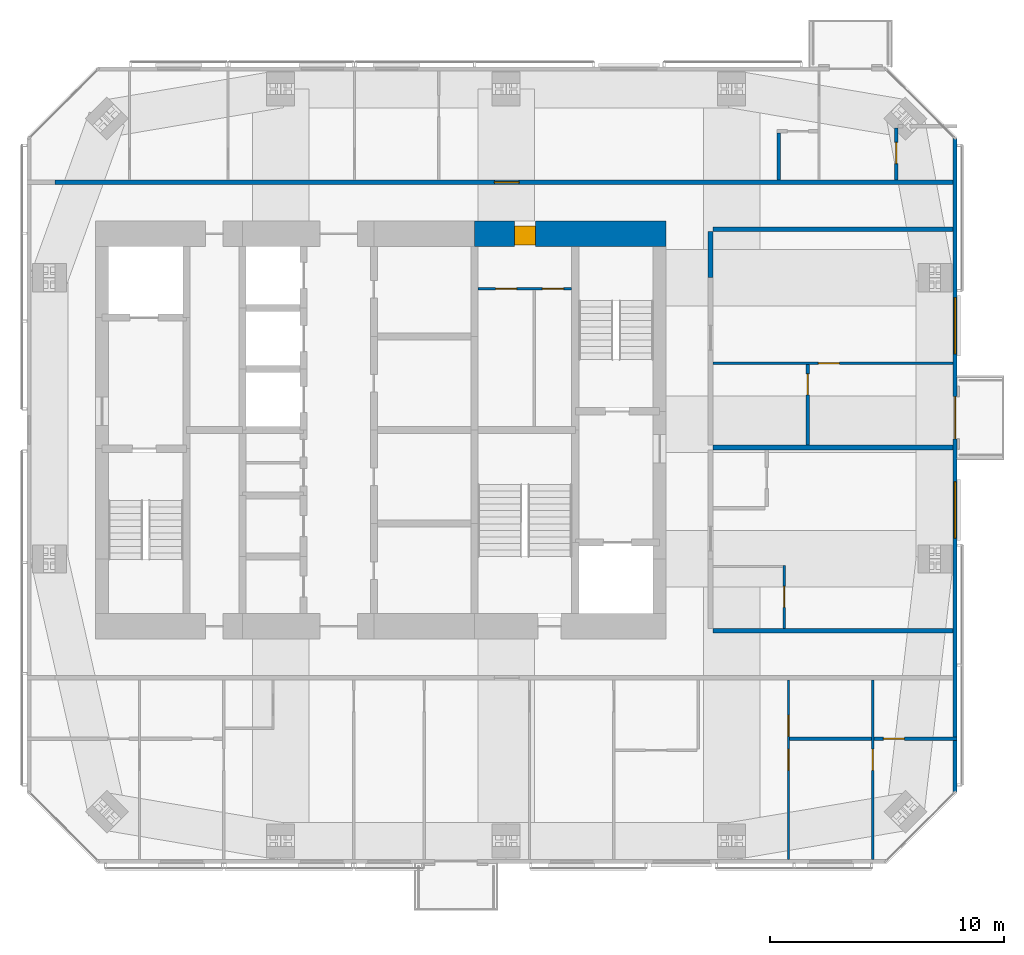
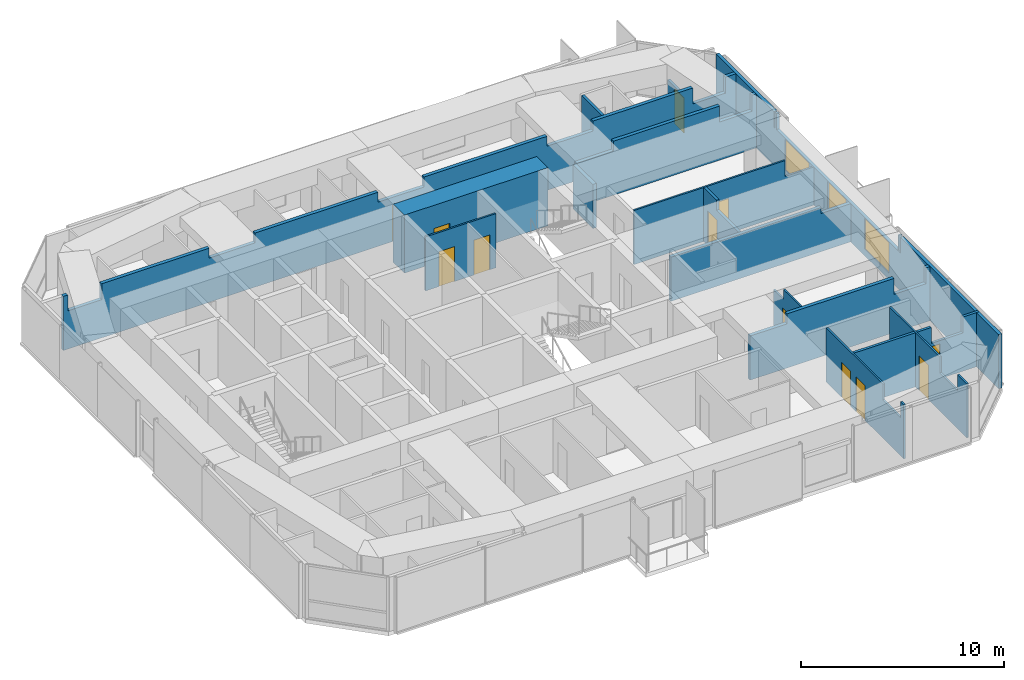
# One storey, part 16 of 18: 17 walls, 13 doors, 2 windows, 15 openings.
"""IFC4 building model written with IfcOpenShell, lengths in metres."""

from ifc_helpers import new_model, si_unit, direction, frame, frame_2d, origin, place, context, subcontext, project, spatial, polyline, rectangle, outline, extrude, material, layer, layer_set, constituent, constituent_set, type_object, element, fill, save


model = new_model("IFC4")

# Units and contexts
model_context = context("Model", 3, precision=1e-05, world=origin(), true_north=direction((0.0, 1.0)))
body_context = subcontext(model_context, "Body", "Model", "MODEL_VIEW")
ifc_project = project(units=[si_unit("LENGTHUNIT", "METRE"), si_unit("AREAUNIT", "SQUARE_METRE"), si_unit("VOLUMEUNIT", "CUBIC_METRE"), si_unit("PLANEANGLEUNIT", "RADIAN"), si_unit("MASSUNIT", "GRAM", prefix="KILO")], contexts=[model_context])

# Site, building, storey
site_placement = place(None, origin())
site = spatial("IfcSite", under=ifc_project, at=site_placement, CompositionType="ELEMENT")
building_placement = place(site_placement, origin())
building = spatial("IfcBuilding", under=site, at=building_placement, Name="Jalousie Tower", CompositionType="ELEMENT")
storey_placement = place(building_placement, frame((0.0, 0.0, 252.949951171875)))
storey = spatial("IfcBuildingStorey", under=building, at=storey_placement, Name="L69", CompositionType="ELEMENT", Elevation=252.949951171875)

# Wall
ifc_material_1 = material(Name="Concrete block ASTM C90", Category="concrete")
ifc_constituent_1 = constituent(ifc_material_1, Name="Body")
ifc_material_2 = material(Name="Render")
ifc_constituent_2 = constituent(ifc_material_2, Name="Finish")
ifc_constituent_set_1 = constituent_set(constituents=[ifc_constituent_1, ifc_constituent_2])
wall_type_1 = type_object("IfcWallType", Name="BATHROOM WALL 150", PredefinedType="PLUMBINGWALL", material=ifc_constituent_set_1)
wall_1_placement = place(storey_placement, frame((49.35009765625, 5.324951171875, 0.0), z_axis=(0.0, 0.0, 1.0), x_axis=(1.0, 0.0, 0.0)))
element("IfcWall", 1, at=wall_1_placement, inside=storey, type_object=wall_type_1, Name="Bathroom Wall 150 L69", PredefinedType="PLUMBINGWALL", context=body_context, shape_type="SweptSolid", body=[
    extrude(rectangle(XDim=3.5, YDim=0.14990234375, at=frame_2d((1.75, 0.0))), origin(), (0.0, 0.0, 1.0), 3.260009765625),
])

# Wall, opening, door
wall_2_placement = place(storey_placement, frame((52.949951171875, 5.324951171875, 0.0), z_axis=(0.0, 0.0, 1.0), x_axis=(1.0, 0.0, 0.0)))
wall_2 = element("IfcWall", 2, at=wall_2_placement, inside=storey, type_object=wall_type_1, Name="Bathroom Wall 150 L69", PredefinedType="PLUMBINGWALL", context=body_context, shape_type="SweptSolid", body=[
    extrude(outline(polyline([(0.0, 0.0), (3.550048828125, 0.0), (3.550048828125, 3.260009765625), (2.596923828125, 3.260009765625), (2.596923828125, 2.300048828125), (0.815185546875, 2.300048828125), (0.815185546875, 3.260009765625), (0.0, 3.260009765625), (0.0, 0.0)])), frame((0.0, 0.074951171875, 0.0), z_axis=(0.0, -1.0, 0.0), x_axis=(1.0, 0.0, 0.0)), (0.0, 0.0, 1.0), 0.14990234375),
])
opening_1_placement = place(wall_2_placement, frame((0.39990234375, 0.0, 0.0)))
opening_1 = element("IfcOpeningElement", 3, at=opening_1_placement, cuts=wall_2, Name="Opening D3", PredefinedType="OPENING", context=body_context, shape_type="SweptSolid", body=[
    extrude(rectangle(XDim=0.89990234375, YDim=2.10009765625, at=frame_2d((0.449951171875, 1.050048828125))), frame((0.0, 0.0849609375, 0.0), z_axis=(0.0, -1.0, 0.0), x_axis=(1.0, 0.0, 0.0)), (0.0, 0.0, 1.0), 0.169921875),
])
ifc_material_3 = material(Name="Timber door", Category="wood")
door_type_1 = type_object("IfcDoorType", Name="BATHROOM DOOR 900", OperationType="SINGLE_SWING_LEFT", PredefinedType="DOOR", material=ifc_material_3)
door_1_placement = place(opening_1_placement, origin())
door_1 = element("IfcDoor", 4, at=door_1_placement, inside=storey, type_object=door_type_1, Name="Apartment 6901 bedroom 4 bathroom door", OperationType="SINGLE_SWING_LEFT", OverallHeight=2.10009765625, OverallWidth=0.89990234375, PredefinedType="DOOR", context=body_context, shape_type="SweptSolid", body=[
    extrude(rectangle(XDim=0.89990234375, YDim=2.10009765625, at=frame_2d((0.449951171875, 1.050048828125))), frame((0.0, 0.02490234375, 0.0), z_axis=(0.0, -1.0, 0.0), x_axis=(1.0, 0.0, 0.0)), (0.0, 0.0, 1.0), 0.050048828125),
])
fill(opening_1, door_1)

wall_3_placement = place(storey_placement, frame((53.89990234375, 31.39990234375, 0.0), z_axis=(0.0, 0.0, 1.0), x_axis=(0.0, -1.0, 0.0)))
wall_3 = element("IfcWall", 5, at=wall_3_placement, inside=storey, type_object=wall_type_1, Name="Bathroom Wall 150 L69", PredefinedType="PLUMBINGWALL", context=body_context, shape_type="SweptSolid", body=[
    extrude(outline(polyline([(0.0, 0.0), (2.224853515625, 0.0), (2.22509765625, 3.260009765625), (2.22509765625, 2.300048828125), (0.43798828125, 2.300048828125), (0.0, 2.300048828125), (0.0, 3.260009765625), (0.0, 0.0)])), frame((0.0, 0.074951171875, 0.0), z_axis=(0.0, -1.0, 0.0), x_axis=(1.0, 0.0, 0.0)), (0.0, 0.0, 1.0), 0.14990234375),
])
opening_2_placement = place(wall_3_placement, frame((0.625, 0.0, 0.0)))
opening_2 = element("IfcOpeningElement", 6, at=opening_2_placement, cuts=wall_3, Name="Opening D3", PredefinedType="OPENING", context=body_context, shape_type="SweptSolid", body=[
    extrude(rectangle(XDim=0.89990234375, YDim=2.10009765625, at=frame_2d((0.449951171875, 1.050048828125))), frame((0.0, 0.0849609375, 0.0), z_axis=(0.0, -1.0, 0.0), x_axis=(1.0, 0.0, 0.0)), (0.0, 0.0, 1.0), 0.169921875),
])
door_2_placement = place(opening_2_placement, origin())
door_2 = element("IfcDoor", 7, at=door_2_placement, inside=storey, type_object=door_type_1, Name="Apartment 6902 bathroom door", OperationType="SINGLE_SWING_LEFT", OverallHeight=2.10009765625, OverallWidth=0.89990234375, PredefinedType="DOOR", context=body_context, shape_type="SweptSolid", body=[
    extrude(rectangle(XDim=0.89990234375, YDim=2.10009765625, at=frame_2d((0.449951171875, 1.050048828125))), frame((0.0, 0.02490234375, 0.0), z_axis=(0.0, -1.0, 0.0), x_axis=(1.0, 0.0, 0.0)), (0.0, 0.0, 1.0), 0.050048828125),
])
fill(opening_2, door_2)

wall_4_placement = place(storey_placement, frame((50.125, 17.85009765625, 0.0), z_axis=(0.0, 0.0, 1.0), x_axis=(0.0, 1.0, 0.0)))
wall_4 = element("IfcWall", 8, at=wall_4_placement, inside=storey, type_object=wall_type_1, Name="Bathroom Wall 150 L69", PredefinedType="PLUMBINGWALL", context=body_context, shape_type="SweptSolid", body=[
    extrude(outline(polyline([(0.0, 0.0), (3.449951171875, 0.0), (3.449951171875, 3.260009765625), (2.18505859375, 3.260009765625), (2.18505859375, 2.66015625), (0.0, 2.66015625), (0.0, 3.260009765625), (0.0, 0.0)])), frame((0.0, 0.074951171875, 0.0), z_axis=(0.0, -1.0, 0.0), x_axis=(1.0, 0.0, 0.0)), (0.0, 0.0, 1.0), 0.14990234375),
])
opening_3_placement = place(wall_4_placement, frame((2.14990234375, 0.0, 0.0)))
opening_3 = element("IfcOpeningElement", 9, at=opening_3_placement, cuts=wall_4, Name="Opening D3", PredefinedType="OPENING", context=body_context, shape_type="SweptSolid", body=[
    extrude(rectangle(XDim=0.89990234375, YDim=2.10009765625, at=frame_2d((0.449951171875, 1.050048828125))), frame((0.0, 0.0849609375, 0.0), z_axis=(0.0, -1.0, 0.0), x_axis=(1.0, 0.0, 0.0)), (0.0, 0.0, 1.0), 0.169921875),
])
door_3_placement = place(opening_3_placement, origin())
door_3 = element("IfcDoor", 10, at=door_3_placement, inside=storey, type_object=door_type_1, Name="Apartment 6904 bedroom 1 bathroom door", OperationType="SINGLE_SWING_RIGHT", OverallHeight=2.10009765625, OverallWidth=0.89990234375, PredefinedType="DOOR", context=body_context, shape_type="SweptSolid", body=[
    extrude(rectangle(XDim=0.89990234375, YDim=2.10009765625, at=frame_2d((0.449951171875, 1.050048828125))), frame((0.0, 0.02490234375, 0.0), z_axis=(0.0, -1.0, 0.0), x_axis=(1.0, 0.0, 0.0)), (0.0, 0.0, 1.0), 0.050048828125),
])
fill(opening_3, door_3)

# Wall
wall_5_placement = place(storey_placement, frame((48.87744140625, 29.175048828125, 0.0), z_axis=(0.0, 0.0, 1.0), x_axis=(0.0, 1.0, 0.0)))
element("IfcWall", 11, at=wall_5_placement, inside=storey, type_object=wall_type_1, Name="Bathroom Wall 150 L69", PredefinedType="PLUMBINGWALL", context=body_context, shape_type="SweptSolid", body=[
    extrude(rectangle(XDim=2.0, YDim=0.14990234375, at=frame_2d((1.0, 0.0))), origin(), (0.0, 0.0, 1.0), 3.260009765625),
])

# Wall, opening, door
ifc_material_4 = material(Name="Concrete f'c 120 MPa", Category="concrete")
ifc_layer = layer(ifc_material_4, 1.10009765625)
ifc_layer_set = layer_set([ifc_layer], Name="Concrete f'c 120 MPa")
wall_type_2 = type_object("IfcWallType", Name="CORE WALL 1100", PredefinedType="SHEAR", material=ifc_layer_set)
wall_6_placement = place(storey_placement, frame((44.074951171875, 26.875, 0.0), z_axis=(0.0, 0.0, 1.0), x_axis=(-1.0, 0.0, 0.0)))
wall_6 = element("IfcWall", 12, at=wall_6_placement, inside=storey, type_object=wall_type_2, Name="Core wall NA L69", PredefinedType="SHEAR", context=body_context, shape_type="SweptSolid", body=[
    extrude(rectangle(XDim=8.175048828125, YDim=1.10009765625, at=frame_2d((4.08740234375, 0.0))), origin(), (0.0, 0.0, 1.0), 3.5),
])
opening_4_placement = place(wall_6_placement, frame((5.574951171875, 0.0, 0.0)))
opening_4 = element("IfcOpeningElement", 13, at=opening_4_placement, cuts=wall_6, Name="Opening D25", PredefinedType="OPENING", context=body_context, shape_type="SweptSolid", body=[
    extrude(rectangle(XDim=0.89990234375, YDim=2.10009765625, at=frame_2d((0.449951171875, 1.050048828125))), frame((0.0, 0.56005859375, 0.0), z_axis=(0.0, -1.0, 0.0), x_axis=(1.0, 0.0, 0.0)), (0.0, 0.0, 1.0), 1.1201171875),
])
ifc_material_5 = material(Name="Steel fire door", Category="steel")
door_type_2 = type_object("IfcDoorType", Name="SERVICE LOBBY DOOR 900", OperationType="SINGLE_SWING_LEFT", PredefinedType="DOOR", material=ifc_material_5)
door_4_placement = place(opening_4_placement, origin())
door_4 = element("IfcDoor", 14, at=door_4_placement, inside=storey, type_object=door_type_2, Name="Service lobby door", OperationType="SINGLE_SWING_LEFT", OverallHeight=2.10009765625, OverallWidth=0.89990234375, PredefinedType="DOOR", context=body_context, shape_type="SweptSolid", body=[
    extrude(rectangle(XDim=0.89990234375, YDim=2.10009765625, at=frame_2d((0.449951171875, 1.050048828125))), frame((0.0, 0.47021484375, 0.0), z_axis=(0.0, -1.0, 0.0), x_axis=(1.0, 0.0, 0.0)), (0.0, 0.0, 1.0), 0.800048828125),
])
fill(opening_4, door_4)

# Walls
ifc_material_6 = material(Name="Concrete block ASTM C90", Category="concrete")
ifc_constituent_3 = constituent(ifc_material_6, Name="Body")
ifc_material_7 = material(Name="Render")
ifc_constituent_4 = constituent(ifc_material_7, Name="Finish")
ifc_constituent_set_2 = constituent_set(constituents=[ifc_constituent_3, ifc_constituent_4])
wall_type_3 = type_object("IfcWallType", Name="CORRIDOR WALL 200", PredefinedType="PARTITIONING", material=ifc_constituent_set_2)
wall_7_placement = place(storey_placement, frame((46.074951171875, 9.925048828125, 0.0), z_axis=(0.0, 0.0, 1.0), x_axis=(1.0, 0.0, 0.0)))
element("IfcWall", 15, at=wall_7_placement, inside=storey, type_object=wall_type_3, Name="Corridor Wall 200 L69", PredefinedType="PARTITIONING", context=body_context, shape_type="SweptSolid", body=[
    extrude(outline(polyline([(0.0, 0.0), (10.25, 0.0), (10.25, 3.260009765625), (10.032958984375, 3.260009765625), (10.032958984375, 2.300048828125), (8.20068359375, 2.300048828125), (8.20068359375, 3.260009765625), (2.110107421875, 3.260009765625), (2.110107421875, 2.66015625), (0.0, 2.66015625), (0.0, 3.260009765625), (0.0, 0.0)])), frame((0.0, 0.10009765625, 0.0), z_axis=(0.0, -1.0, 0.0), x_axis=(1.0, 0.0, 0.0)), (0.0, 0.0, 1.0), 0.199951171875),
])
wall_8_placement = place(storey_placement, frame((46.074951171875, 27.074951171875, 0.0), z_axis=(0.0, 0.0, 1.0), x_axis=(1.0, 0.0, 0.0)))
element("IfcWall", 16, at=wall_8_placement, inside=storey, type_object=wall_type_3, Name="Corridor Wall 200 L69", PredefinedType="PARTITIONING", context=body_context, shape_type="SweptSolid", body=[
    extrude(outline(polyline([(0.0, 0.0), (10.25, 0.0), (10.25, 3.260009765625), (10.0166015625, 3.260009765625), (10.0166015625, 2.300048828125), (8.16552734375, 2.300048828125), (8.16552734375, 3.260009765625), (2.110107421875, 3.260009765625), (2.110107421875, 2.66015625), (0.0, 2.66015625), (0.0, 3.260009765625), (0.0, 0.0)])), frame((0.0, 0.10009765625, 0.0), z_axis=(0.0, -1.0, 0.0), x_axis=(1.0, 0.0, 0.0)), (0.0, 0.0, 1.0), 0.199951171875),
])

# Wall, opening, door
wall_9_placement = place(storey_placement, frame((18.0, 29.074951171875, 0.0), z_axis=(0.0, 0.0, 1.0), x_axis=(1.0, 0.0, 0.0)))
wall_9 = element("IfcWall", 17, at=wall_9_placement, inside=storey, type_object=wall_type_3, Name="Corridor Wall 200 L69", PredefinedType="PARTITIONING", context=body_context, shape_type="SweptSolid", body=[
    extrude(outline(polyline([(0.0, 0.0), (38.324951171875, 0.0), (38.324951171875, 3.260009765625), (37.72119140625, 3.260009765625), (37.72119140625, 2.300048828125), (35.870361328125, 2.300048828125), (35.870361328125, 3.260009765625), (30.18505859375, 3.260009765625), (30.18505859375, 2.66015625), (27.56494140625, 2.66015625), (27.56494140625, 3.260009765625), (20.56005859375, 3.260009765625), (20.56005859375, 2.66015625), (17.93994140625, 2.66015625), (17.93994140625, 3.260009765625), (10.93505859375, 3.260009765625), (10.93505859375, 2.66015625), (8.31494140625, 2.66015625), (8.31494140625, 3.260009765625), (2.191650390625, 3.260009765625), (2.191650390625, 2.300048828125), (0.25634765625, 2.300048828125), (0.25634765625, 3.260009765625), (0.0, 3.260009765625), (0.0, 0.0)])), frame((0.0, 0.10009765625, 0.0), z_axis=(0.0, -1.0, 0.0), x_axis=(1.0, 0.0, 0.0)), (0.0, 0.0, 1.0), 0.199951171875),
])
opening_5_placement = place(wall_9_placement, frame((18.75, 0.0, 0.0)))
opening_5 = element("IfcOpeningElement", 18, at=opening_5_placement, cuts=wall_9, Name="Opening D1", PredefinedType="OPENING", context=body_context, shape_type="SweptSolid", body=[
    extrude(rectangle(XDim=1.050048828125, YDim=2.199951171875, at=frame_2d((0.52490234375, 1.10009765625))), frame((0.0, 0.10986328125, 0.0), z_axis=(0.0, -1.0, 0.0), x_axis=(1.0, 0.0, 0.0)), (0.0, 0.0, 1.0), 0.219970703125),
])
ifc_material_8 = material(Name="Timber fire door", Category="wood")
door_type_3 = type_object("IfcDoorType", Name="APARTMENT ENTRANCE DOOR 1050", OperationType="SINGLE_SWING_LEFT", PredefinedType="DOOR", material=ifc_material_8)
door_5_placement = place(opening_5_placement, origin())
door_5 = element("IfcDoor", 19, at=door_5_placement, inside=storey, type_object=door_type_3, Name="Apartment 6902 entrance", OperationType="SINGLE_SWING_LEFT", OverallHeight=2.199951171875, OverallWidth=1.050048828125, PredefinedType="DOOR", context=body_context, shape_type="SweptSolid", body=[
    extrude(rectangle(XDim=1.050048828125, YDim=2.199951171875, at=frame_2d((0.52490234375, 1.10009765625))), frame((0.0, 0.02490234375, 0.0), z_axis=(0.0, -1.0, 0.0), x_axis=(1.0, 0.0, 0.0)), (0.0, 0.0, 1.0), 0.050048828125),
])
fill(opening_5, door_5)

# Wall
wall_10_placement = place(storey_placement, frame((45.97509765625, 25.0, 0.0), z_axis=(0.0, 0.0, 1.0), x_axis=(0.0, 1.0, 0.0)))
element("IfcWall", 20, at=wall_10_placement, inside=storey, type_object=wall_type_3, Name="Corridor Wall 200 L69-B", PredefinedType="PARTITIONING", context=body_context, shape_type="SweptSolid", body=[
    extrude(rectangle(XDim=1.97509765625, YDim=0.199951171875, at=frame_2d((0.987548828125, 0.0))), origin(), (0.0, 0.0, 1.0), 2.66015625),
])

# Wall, openings, door, windows
ifc_material_9 = material(Name="Concrete f'c 40 MPa", Category="concrete")
ifc_constituent_5 = constituent(ifc_material_9, Name="Body")
ifc_material_10 = material(Name="Render, pastel sky blue")
ifc_constituent_6 = constituent(ifc_material_10, Name="Finish")
ifc_constituent_set_3 = constituent_set(constituents=[ifc_constituent_5, ifc_constituent_6])
wall_type_4 = type_object("IfcWallType", Name="EXTERNAL WALL 175 SKY BLUE RENDER", PredefinedType="SOLIDWALL", material=ifc_constituent_set_3)
wall_11_placement = place(storey_placement, frame((56.41259765625, 3.05126953125, 0.0), z_axis=(0.0, 0.0, 1.0), x_axis=(0.0, 1.0, 0.0)))
wall_11 = element("IfcWall", 21, at=wall_11_placement, inside=storey, type_object=wall_type_4, Name="External Wall 175 Sky Blue Render L69", PredefinedType="SOLIDWALL", context=body_context, shape_type="SweptSolid", body=[
    extrude(outline(polyline([(0.0, 0.0), (27.8974609375, 0.0), (27.8974609375, 3.260009765625), (22.1572265625, 3.260009765625), (22.1572265625, 2.300048828125), (22.092041015625, 2.300048828125), (22.092041015625, 3.260009765625), (21.94873046875, 3.260009765625), (21.94873046875, 2.300048828125), (9.94873046875, 2.300048828125), (9.94873046875, 3.260009765625), (9.8583984375, 3.260009765625), (9.8583984375, 2.300048828125), (9.6875, 2.300048828125), (9.6875, 3.260009765625), (0.0, 3.260009765625), (0.0, 0.0)])), frame((0.0, 0.08740234375, 0.0), z_axis=(0.0, -1.0, 0.0), x_axis=(1.0, 0.0, 0.0)), (0.0, 0.0, 1.0), 0.175048828125),
])
opening_6_placement = place(wall_11_placement, frame((10.83056640625, 0.0, 0.39990234375)))
opening_6 = element("IfcOpeningElement", 22, at=opening_6_placement, cuts=wall_11, Name="Opening W-LIV185", PredefinedType="OPENING", context=body_context, shape_type="SweptSolid", body=[
    extrude(rectangle(XDim=2.39990234375, YDim=1.85009765625, at=frame_2d((1.199951171875, 0.925048828125))), frame((0.0, 0.097412109375, 0.0), z_axis=(0.0, -1.0, 0.0), x_axis=(1.0, 0.0, 0.0)), (0.0, 0.0, 1.0), 0.195068359375),
])
opening_7_placement = place(wall_11_placement, frame((15.07373046875, 0.0, 0.0)))
opening_7 = element("IfcOpeningElement", 23, at=opening_7_placement, cuts=wall_11, Name="Opening D-BAL22", PredefinedType="OPENING", context=body_context, shape_type="SweptSolid", body=[
    extrude(rectangle(XDim=1.800048828125, YDim=2.25, at=frame_2d((0.89990234375, 1.125))), frame((0.0, 0.097412109375, 0.0), z_axis=(0.0, -1.0, 0.0), x_axis=(1.0, 0.0, 0.0)), (0.0, 0.0, 1.0), 0.195068359375),
])
opening_8_placement = place(wall_11_placement, frame((18.69873046875, 0.0, 0.39990234375)))
opening_8 = element("IfcOpeningElement", 24, at=opening_8_placement, cuts=wall_11, Name="Opening W-LIV185", PredefinedType="OPENING", context=body_context, shape_type="SweptSolid", body=[
    extrude(rectangle(XDim=2.39990234375, YDim=1.85009765625, at=frame_2d((1.199951171875, 0.925048828125))), frame((0.0, 0.097412109375, 0.0), z_axis=(0.0, -1.0, 0.0), x_axis=(1.0, 0.0, 0.0)), (0.0, 0.0, 1.0), 0.195068359375),
])
ifc_material_11 = material(Name="Aluminium frame, impact-rated glazing", Category="aluminium")
door_type_4 = type_object("IfcDoorType", Name="BALCONY DOOR 1800x2250", OperationType="SLIDING_TO_LEFT", PredefinedType="DOOR", material=ifc_material_11)
door_6_placement = place(opening_7_placement, origin())
door_6 = element("IfcDoor", 25, at=door_6_placement, inside=storey, type_object=door_type_4, Name="Apartment 6904 bedroom 1 balcony door", OperationType="SLIDING_TO_LEFT", OverallHeight=2.25, OverallWidth=1.800048828125, PredefinedType="DOOR", context=body_context, shape_type="SweptSolid", body=[
    extrude(rectangle(XDim=1.800048828125, YDim=2.25, at=frame_2d((0.89990234375, 1.125))), frame((0.0, 0.02490234375, 0.0), z_axis=(0.0, -1.0, 0.0), x_axis=(1.0, 0.0, 0.0)), (0.0, 0.0, 1.0), 0.050048828125),
])
fill(opening_7, door_6)
ifc_material_12 = material(Name="Aluminium frame, impact-rated glazing", Category="aluminium")
window_type = type_object("IfcWindowType", Name="WINDOW LIV 2400x1850", PartitioningType="DOUBLE_PANEL_VERTICAL", PredefinedType="WINDOW", material=ifc_material_12)
window_1_placement = place(opening_6_placement, origin())
window_1 = element("IfcWindow", 26, at=window_1_placement, inside=storey, type_object=window_type, Name="Apartment 6903 studio living and sleeping room window", OverallHeight=1.85009765625, OverallWidth=2.39990234375, PartitioningType="SINGLE_PANEL", PredefinedType="WINDOW", context=body_context, shape_type="SweptSolid", body=[
    extrude(rectangle(XDim=2.39990234375, YDim=1.85009765625, at=frame_2d((1.199951171875, 0.925048828125))), frame((0.0, 0.030029296875, 0.0), z_axis=(0.0, -1.0, 0.0), x_axis=(1.0, 0.0, 0.0)), (0.0, 0.0, 1.0), 0.06005859375),
])
fill(opening_6, window_1)
window_2_placement = place(opening_8_placement, origin())
window_2 = element("IfcWindow", 27, at=window_2_placement, inside=storey, type_object=window_type, Name="Apartment 6904 living, dining and kitchen window", OverallHeight=1.85009765625, OverallWidth=2.39990234375, PartitioningType="SINGLE_PANEL", PredefinedType="WINDOW", context=body_context, shape_type="SweptSolid", body=[
    extrude(rectangle(XDim=2.39990234375, YDim=1.85009765625, at=frame_2d((1.199951171875, 0.925048828125))), frame((0.0, 0.030029296875, 0.0), z_axis=(0.0, -1.0, 0.0), x_axis=(1.0, 0.0, 0.0)), (0.0, 0.0, 1.0), 0.06005859375),
])
fill(opening_8, window_2)

# Wall, openings, doors
ifc_material_13 = material(Name="Gypsum board", Category="gypsum")
ifc_constituent_7 = constituent(ifc_material_13, Name="Body")
ifc_material_14 = material(Name="Light-gauge steel studs ASTM A653 SS Grade 33", Category="steel")
ifc_constituent_8 = constituent(ifc_material_14, Name="Framing")
ifc_constituent_set_4 = constituent_set(constituents=[ifc_constituent_7, ifc_constituent_8])
wall_type_5 = type_object("IfcWallType", Name="PARTITION 100", PredefinedType="PARTITIONING", material=ifc_constituent_set_4)
wall_12_placement = place(storey_placement, frame((49.300048828125, 0.175048828125, 0.0), z_axis=(0.0, 0.0, 1.0), x_axis=(0.0, 1.0, 0.0)))
wall_12 = element("IfcWall", 28, at=wall_12_placement, inside=storey, type_object=wall_type_5, Name="Partition 100 L69", PredefinedType="PARTITIONING", context=body_context, shape_type="SweptSolid", body=[
    extrude(outline(polyline([(0.0, 0.0), (7.64990234375, 0.0), (7.64990234375, 3.260009765625), (2.05810546875, 3.260009765625), (2.05810546875, 2.300048828125), (0.313720703125, 2.300048828125), (0.313720703125, 3.260009765625), (0.0, 3.260009765625), (0.0, 0.0)])), frame((0.0, 0.050048828125, 0.0), z_axis=(0.0, -1.0, 0.0), x_axis=(1.0, 0.0, 0.0)), (0.0, 0.0, 1.0), 0.10009765625),
])
opening_9_placement = place(wall_12_placement, frame((3.800048828125, 0.0, 0.0)))
opening_9 = element("IfcOpeningElement", 29, at=opening_9_placement, cuts=wall_12, Name="Opening D2", PredefinedType="OPENING", context=body_context, shape_type="SweptSolid", body=[
    extrude(rectangle(XDim=0.89990234375, YDim=2.10009765625, at=frame_2d((0.449951171875, 1.050048828125))), frame((0.0, 0.06005859375, 0.0), z_axis=(0.0, -1.0, 0.0), x_axis=(1.0, 0.0, 0.0)), (0.0, 0.0, 1.0), 0.1201171875),
])
opening_10_placement = place(wall_12_placement, frame((5.25, 0.0, 0.0)))
opening_10 = element("IfcOpeningElement", 30, at=opening_10_placement, cuts=wall_12, Name="Opening D7", PredefinedType="OPENING", context=body_context, shape_type="SweptSolid", body=[
    extrude(rectangle(XDim=0.89990234375, YDim=2.10009765625, at=frame_2d((0.449951171875, 1.050048828125))), frame((0.0, 0.06005859375, 0.0), z_axis=(0.0, -1.0, 0.0), x_axis=(1.0, 0.0, 0.0)), (0.0, 0.0, 1.0), 0.1201171875),
])
ifc_material_15 = material(Name="Timber door", Category="wood")
door_type_5 = type_object("IfcDoorType", Name="BEDROOM DOOR 900", OperationType="SINGLE_SWING_LEFT", PredefinedType="DOOR", material=ifc_material_15)
door_7_placement = place(opening_9_placement, frame((0.89990234375, 0.0, 0.0), z_axis=(0.0, 0.0, 1.0), x_axis=(-1.0, 0.0, 0.0)))
door_7 = element("IfcDoor", 31, at=door_7_placement, inside=storey, type_object=door_type_5, Name="Apartment 6901 bedroom 3 door", OperationType="SINGLE_SWING_LEFT", OverallHeight=2.10009765625, OverallWidth=0.89990234375, PredefinedType="DOOR", context=body_context, shape_type="SweptSolid", body=[
    extrude(rectangle(XDim=0.89990234375, YDim=2.10009765625, at=frame_2d((0.449951171875, 1.050048828125))), frame((0.0, 0.02490234375, 0.0), z_axis=(0.0, -1.0, 0.0), x_axis=(1.0, 0.0, 0.0)), (0.0, 0.0, 1.0), 0.050048828125),
])
fill(opening_9, door_7)
ifc_material_16 = material(Name="Timber door", Category="wood")
door_type_6 = type_object("IfcDoorType", Name="INTERNAL DOOR 900", OperationType="SINGLE_SWING_LEFT", PredefinedType="DOOR", material=ifc_material_16)
door_8_placement = place(opening_10_placement, frame((0.89990234375, 0.0, 0.0), z_axis=(0.0, 0.0, 1.0), x_axis=(-1.0, 0.0, 0.0)))
door_8 = element("IfcDoor", 32, at=door_8_placement, inside=storey, type_object=door_type_6, Name="Apartment 6901 bathroom door", OperationType="SINGLE_SWING_RIGHT", OverallHeight=2.10009765625, OverallWidth=0.89990234375, PredefinedType="DOOR", context=body_context, shape_type="SweptSolid", body=[
    extrude(rectangle(XDim=0.89990234375, YDim=2.10009765625, at=frame_2d((0.449951171875, 1.050048828125))), frame((0.0, 0.02490234375, 0.0), z_axis=(0.0, -1.0, 0.0), x_axis=(1.0, 0.0, 0.0)), (0.0, 0.0, 1.0), 0.050048828125),
])
fill(opening_10, door_8)

# Wall, opening, door
wall_13_placement = place(storey_placement, frame((52.89990234375, 0.175048828125, 0.0), z_axis=(0.0, 0.0, 1.0), x_axis=(0.0, 1.0, 0.0)))
wall_13 = element("IfcWall", 33, at=wall_13_placement, inside=storey, type_object=wall_type_5, Name="Partition 100 L69", PredefinedType="PARTITIONING", context=body_context, shape_type="SweptSolid", body=[
    extrude(outline(polyline([(0.0, 0.0), (7.64990234375, 0.0), (7.64990234375, 3.260009765625), (2.668212890625, 3.260009765625), (2.668212890625, 2.300048828125), (0.923828125, 2.300048828125), (0.923828125, 3.260009765625), (0.0, 3.260009765625), (0.0, 0.0)])), frame((0.0, 0.050048828125, 0.0), z_axis=(0.0, -1.0, 0.0), x_axis=(1.0, 0.0, 0.0)), (0.0, 0.0, 1.0), 0.10009765625),
])
opening_11_placement = place(wall_13_placement, frame((3.800048828125, 0.0, 0.0)))
opening_11 = element("IfcOpeningElement", 34, at=opening_11_placement, cuts=wall_13, Name="Opening D2", PredefinedType="OPENING", context=body_context, shape_type="SweptSolid", body=[
    extrude(rectangle(XDim=0.89990234375, YDim=2.10009765625, at=frame_2d((0.449951171875, 1.050048828125))), frame((0.0, 0.06005859375, 0.0), z_axis=(0.0, -1.0, 0.0), x_axis=(1.0, 0.0, 0.0)), (0.0, 0.0, 1.0), 0.1201171875),
])
door_9_placement = place(opening_11_placement, origin())
door_9 = element("IfcDoor", 35, at=door_9_placement, inside=storey, type_object=door_type_5, Name="Apartment 6901 bedroom 4 door", OperationType="SINGLE_SWING_RIGHT", OverallHeight=2.10009765625, OverallWidth=0.89990234375, PredefinedType="DOOR", context=body_context, shape_type="SweptSolid", body=[
    extrude(rectangle(XDim=0.89990234375, YDim=2.10009765625, at=frame_2d((0.449951171875, 1.050048828125))), frame((0.0, 0.02490234375, 0.0), z_axis=(0.0, -1.0, 0.0), x_axis=(1.0, 0.0, 0.0)), (0.0, 0.0, 1.0), 0.050048828125),
])
fill(opening_11, door_9)

wall_14_placement = place(storey_placement, frame((56.324951171875, 21.35009765625, 0.0), z_axis=(0.0, 0.0, 1.0), x_axis=(-1.0, 0.0, 0.0)))
wall_14 = element("IfcWall", 36, at=wall_14_placement, inside=storey, type_object=wall_type_5, Name="Partition 100 L69", PredefinedType="PARTITIONING", context=body_context, shape_type="SweptSolid", body=[
    extrude(outline(polyline([(0.0, 0.0), (10.25, 0.0), (10.25, 3.260009765625), (1.635009765625, 3.260009765625), (1.635009765625, 2.300048828125), (0.0, 2.300048828125), (0.0, 3.260009765625), (0.0, 0.0)])), frame((0.0, 0.050048828125, 0.0), z_axis=(0.0, -1.0, 0.0), x_axis=(1.0, 0.0, 0.0)), (0.0, 0.0, 1.0), 0.10009765625),
])
opening_12_placement = place(wall_14_placement, frame((4.85009765625, 0.0, 0.0)))
opening_12 = element("IfcOpeningElement", 37, at=opening_12_placement, cuts=wall_14, Name="Opening D2", PredefinedType="OPENING", context=body_context, shape_type="SweptSolid", body=[
    extrude(rectangle(XDim=0.89990234375, YDim=2.10009765625, at=frame_2d((0.449951171875, 1.050048828125))), frame((0.0, 0.06005859375, 0.0), z_axis=(0.0, -1.0, 0.0), x_axis=(1.0, 0.0, 0.0)), (0.0, 0.0, 1.0), 0.1201171875),
])
door_10_placement = place(opening_12_placement, origin())
door_10 = element("IfcDoor", 38, at=door_10_placement, inside=storey, type_object=door_type_5, Name="Apartment 6904 bedroom 1 door", OperationType="SINGLE_SWING_RIGHT", OverallHeight=2.10009765625, OverallWidth=0.89990234375, PredefinedType="DOOR", context=body_context, shape_type="SweptSolid", body=[
    extrude(rectangle(XDim=0.89990234375, YDim=2.10009765625, at=frame_2d((0.449951171875, 1.050048828125))), frame((0.0, 0.02490234375, 0.0), z_axis=(0.0, -1.0, 0.0), x_axis=(1.0, 0.0, 0.0)), (0.0, 0.0, 1.0), 0.050048828125),
])
fill(opening_12, door_10)

wall_15_placement = place(storey_placement, frame((49.125, 10.02490234375, 0.0), z_axis=(0.0, 0.0, 1.0), x_axis=(0.0, 1.0, 0.0)))
wall_15 = element("IfcWall", 39, at=wall_15_placement, inside=storey, type_object=wall_type_5, Name="Partition 100 L69", PredefinedType="PARTITIONING", context=body_context, shape_type="SweptSolid", body=[
    extrude(outline(polyline([(0.0, 0.0), (2.7001953125, 0.0), (2.699951171875, 3.260009765625), (2.699951171875, 2.66015625), (1.715087890625, 2.66015625), (1.715087890625, 3.260009765625), (0.0, 3.260009765625), (0.0, 0.0)])), frame((0.0, 0.050048828125, 0.0), z_axis=(0.0, -1.0, 0.0), x_axis=(1.0, 0.0, 0.0)), (0.0, 0.0, 1.0), 0.10009765625),
])
opening_13_placement = place(wall_15_placement, frame((0.89990234375, 0.0, 0.0)))
opening_13 = element("IfcOpeningElement", 40, at=opening_13_placement, cuts=wall_15, Name="Opening D7", PredefinedType="OPENING", context=body_context, shape_type="SweptSolid", body=[
    extrude(rectangle(XDim=0.89990234375, YDim=2.10009765625, at=frame_2d((0.449951171875, 1.050048828125))), frame((0.0, 0.06005859375, 0.0), z_axis=(0.0, -1.0, 0.0), x_axis=(1.0, 0.0, 0.0)), (0.0, 0.0, 1.0), 0.1201171875),
])
door_11_placement = place(opening_13_placement, origin())
door_11 = element("IfcDoor", 41, at=door_11_placement, inside=storey, type_object=door_type_6, Name="Apartment 6903 kitchen door", OperationType="SINGLE_SWING_RIGHT", OverallHeight=2.10009765625, OverallWidth=0.89990234375, PredefinedType="DOOR", context=body_context, shape_type="SweptSolid", body=[
    extrude(rectangle(XDim=0.89990234375, YDim=2.10009765625, at=frame_2d((0.449951171875, 1.050048828125))), frame((0.0, 0.02490234375, 0.0), z_axis=(0.0, -1.0, 0.0), x_axis=(1.0, 0.0, 0.0)), (0.0, 0.0, 1.0), 0.050048828125),
])
fill(opening_13, door_11)

# Wall, openings, doors
wall_16_placement = place(storey_placement, frame((36.050048828125, 24.52490234375, 0.0), z_axis=(0.0, 0.0, 1.0), x_axis=(1.0, 0.0, 0.0)))
wall_16 = element("IfcWall", 42, at=wall_16_placement, inside=storey, type_object=wall_type_5, Name="Partition 100 L69", PredefinedType="PARTITIONING", context=body_context, shape_type="SweptSolid", body=[
    extrude(rectangle(XDim=4.0, YDim=0.10009765625, at=frame_2d((2.0, 0.0))), origin(), (0.0, 0.0, 1.0), 3.260009765625),
])
opening_14_placement = place(wall_16_placement, frame((0.75, 0.0, 0.0)))
opening_14 = element("IfcOpeningElement", 43, at=opening_14_placement, cuts=wall_16, Name="Opening D7", PredefinedType="OPENING", context=body_context, shape_type="SweptSolid", body=[
    extrude(rectangle(XDim=0.89990234375, YDim=2.10009765625, at=frame_2d((0.449951171875, 1.050048828125))), frame((0.0, 0.06005859375, 0.0), z_axis=(0.0, -1.0, 0.0), x_axis=(1.0, 0.0, 0.0)), (0.0, 0.0, 1.0), 0.1201171875),
])
opening_15_placement = place(wall_16_placement, frame((2.75, 0.0, 0.0)))
opening_15 = element("IfcOpeningElement", 44, at=opening_15_placement, cuts=wall_16, Name="Opening D7", PredefinedType="OPENING", context=body_context, shape_type="SweptSolid", body=[
    extrude(rectangle(XDim=0.89990234375, YDim=2.10009765625, at=frame_2d((0.449951171875, 1.050048828125))), frame((0.0, 0.06005859375, 0.0), z_axis=(0.0, -1.0, 0.0), x_axis=(1.0, 0.0, 0.0)), (0.0, 0.0, 1.0), 0.1201171875),
])
door_12_placement = place(opening_14_placement, frame((0.89990234375, 0.0, 0.0), z_axis=(0.0, 0.0, 1.0), x_axis=(-1.0, 0.0, 0.0)))
door_12 = element("IfcDoor", 45, at=door_12_placement, inside=storey, type_object=door_type_6, Name="IT room door", OperationType="SINGLE_SWING_LEFT", OverallHeight=2.10009765625, OverallWidth=0.89990234375, PredefinedType="DOOR", context=body_context, shape_type="SweptSolid", body=[
    extrude(rectangle(XDim=0.89990234375, YDim=2.10009765625, at=frame_2d((0.449951171875, 1.050048828125))), frame((0.0, 0.02490234375, 0.0), z_axis=(0.0, -1.0, 0.0), x_axis=(1.0, 0.0, 0.0)), (0.0, 0.0, 1.0), 0.050048828125),
])
fill(opening_14, door_12)
door_13_placement = place(opening_15_placement, frame((0.89990234375, 0.0, 0.0), z_axis=(0.0, 0.0, 1.0), x_axis=(-1.0, 0.0, 0.0)))
door_13 = element("IfcDoor", 46, at=door_13_placement, inside=storey, type_object=door_type_6, Name="Staff WC door", OperationType="SINGLE_SWING_RIGHT", OverallHeight=2.10009765625, OverallWidth=0.89990234375, PredefinedType="DOOR", context=body_context, shape_type="SweptSolid", body=[
    extrude(rectangle(XDim=0.89990234375, YDim=2.10009765625, at=frame_2d((0.449951171875, 1.050048828125))), frame((0.0, 0.02490234375, 0.0), z_axis=(0.0, -1.0, 0.0), x_axis=(1.0, 0.0, 0.0)), (0.0, 0.0, 1.0), 0.050048828125),
])
fill(opening_15, door_13)

# Wall
ifc_material_17 = material(Name="Concrete block ASTM C90", Category="concrete")
ifc_constituent_9 = constituent(ifc_material_17, Name="Body")
ifc_material_18 = material(Name="Render")
ifc_constituent_10 = constituent(ifc_material_18, Name="Finish")
ifc_constituent_set_5 = constituent_set(constituents=[ifc_constituent_9, ifc_constituent_10])
wall_type_6 = type_object("IfcWallType", Name="PARTY WALL 200", PredefinedType="PARTITIONING", material=ifc_constituent_set_5)
wall_17_placement = place(storey_placement, frame((56.324951171875, 17.75, 0.0), z_axis=(0.0, 0.0, 1.0), x_axis=(-1.0, 0.0, 0.0)))
element("IfcWall", 47, at=wall_17_placement, inside=storey, type_object=wall_type_6, Name="Party Wall 200 L69", PredefinedType="PARTITIONING", context=body_context, shape_type="SweptSolid", body=[
    extrude(outline(polyline([(0.0, 0.0), (10.25, 0.0), (10.25, 3.260009765625), (10.25, 2.66015625), (1.68505859375, 2.66015625), (1.68505859375, 2.300048828125), (0.0, 2.300048828125), (0.0, 3.260009765625), (0.0, 0.0)])), frame((0.0, 0.10009765625, 0.0), z_axis=(0.0, -1.0, 0.0), x_axis=(1.0, 0.0, 0.0)), (0.0, 0.0, 1.0), 0.199951171875),
])

save(model, "model.ifc")
